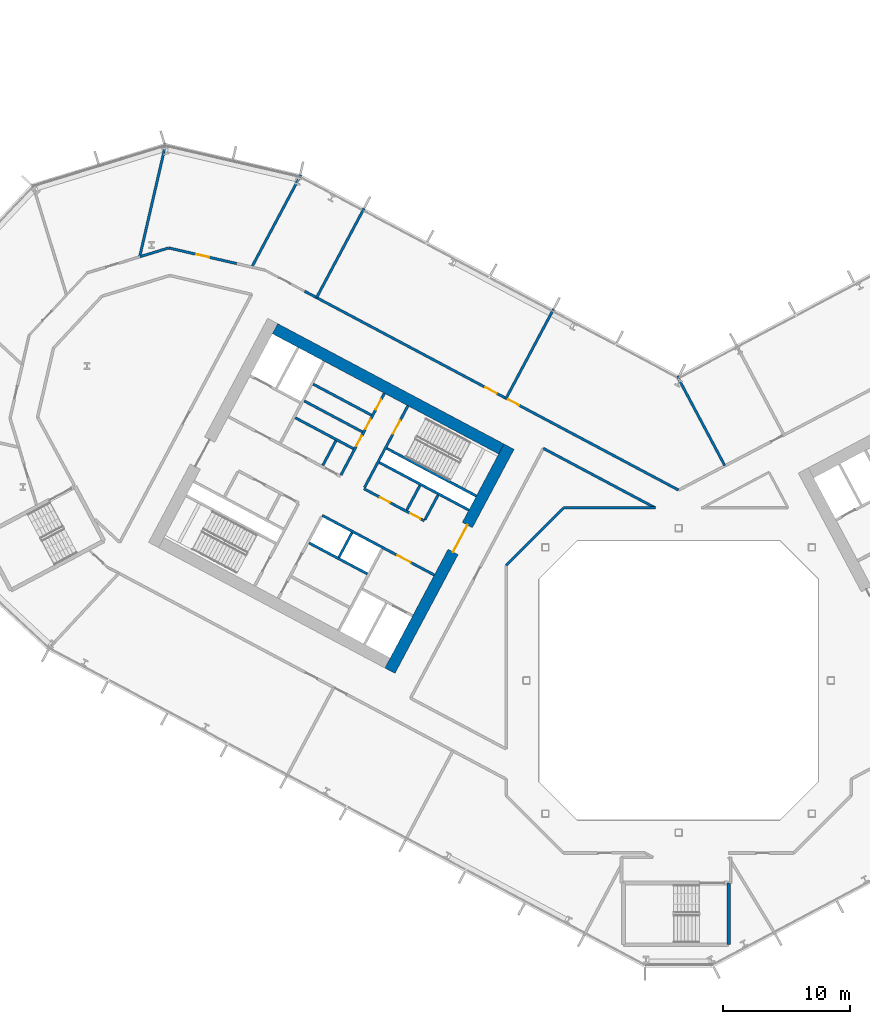
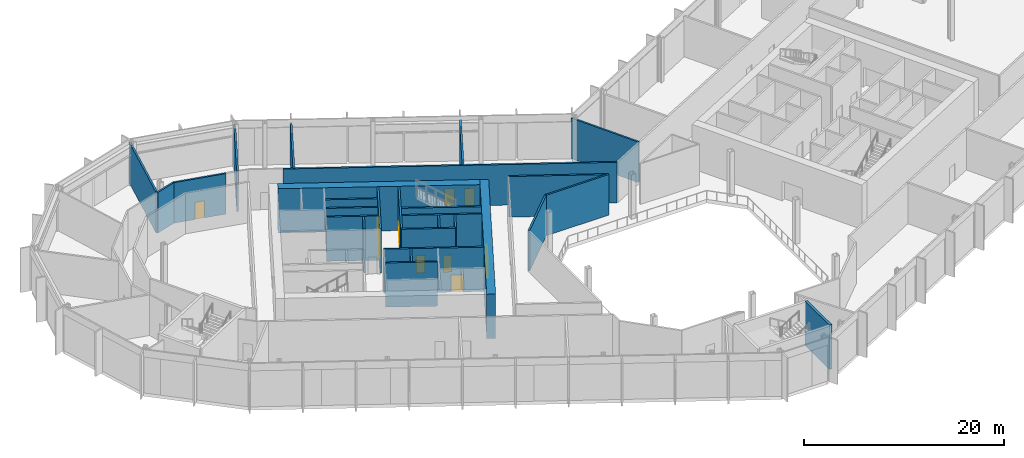
# One storey, part 14 of 32: 28 walls, 11 doors, 11 openings.
"""IFC4 building model written with IfcOpenShell, lengths in metres."""

from ifc_helpers import new_model, si_unit, direction, frame, frame_2d, origin, place, context, subcontext, project, spatial, rectangle, extrude, material, layer, layer_set, type_object, element, fill, save


model = new_model("IFC4")

# Units and contexts
model_context = context("Model", 3, precision=1e-05, world=origin(), true_north=direction((0.0, 1.0)))
body_context = subcontext(model_context, "Body", "Model", "MODEL_VIEW")
ifc_project = project(units=[si_unit("LENGTHUNIT", "METRE"), si_unit("AREAUNIT", "SQUARE_METRE"), si_unit("VOLUMEUNIT", "CUBIC_METRE"), si_unit("PLANEANGLEUNIT", "RADIAN"), si_unit("MASSUNIT", "GRAM", prefix="KILO")], contexts=[model_context])

# Site, building, storey
site_placement = place(None, origin())
site = spatial("IfcSite", under=ifc_project, at=site_placement, CompositionType="ELEMENT")
building_placement = place(site_placement, origin())
building = spatial("IfcBuilding", under=site, at=building_placement, Name="Cormorant Relay Tower", CompositionType="ELEMENT")
storey_placement = place(building_placement, frame((0.0, 0.0, 17.60009765625)))
storey = spatial("IfcBuildingStorey", under=building, at=storey_placement, Name="L03", CompositionType="ELEMENT", Elevation=17.60009765625)

# Walls
ifc_material_1 = material(Name="Concrete 40 MPa", Category="concrete")
ifc_layer_1 = layer(ifc_material_1, 0.199951171875)
ifc_layer_set_1 = layer_set([ifc_layer_1], Name="Core internal wall 200")
wall_type_1 = type_object("IfcWallType", Name="Core internal wall 200", PredefinedType="SOLIDWALL", material=ifc_layer_set_1)
wall_1_placement = place(storey_placement, frame((-20.39013671875, 15.371826171875, 0.0), z_axis=(0.0, 0.0, 1.0), x_axis=(-0.4694473164, -0.882960484464, 0.0)))
element("IfcWall", 1, at=wall_1_placement, inside=storey, type_object=wall_type_1, Name="L03 core A shaft and room wall", PredefinedType="SOLIDWALL", context=body_context, shape_type="SweptSolid", body=[
    extrude(rectangle(XDim=2.199951171875, YDim=0.199951171875, at=frame_2d((1.10009765625, 0.0))), origin(), (0.0, 0.0, 1.0), 5.39990234375),
])
wall_2_placement = place(storey_placement, frame((-25.744140625, 11.64990234375, 0.0), z_axis=(0.0, 0.0, 1.0), x_axis=(-0.469487830541, -0.882938942948, 0.0)))
element("IfcWall", 2, at=wall_2_placement, inside=storey, type_object=wall_type_1, Name="L03 core A shaft and room wall", PredefinedType="SOLIDWALL", context=body_context, shape_type="SweptSolid", body=[
    extrude(rectangle(XDim=2.2001953125, YDim=0.199951171875, at=frame_2d((1.10009765625, 0.0))), origin(), (0.0, 0.0, 1.0), 5.39990234375),
])
wall_3_placement = place(storey_placement, frame((-27.01220703125, 18.892822265625, 0.0), z_axis=(0.0, 0.0, 1.0), x_axis=(-0.4694473164, -0.882960484464, 0.0)))
element("IfcWall", 3, at=wall_3_placement, inside=storey, type_object=wall_type_1, Name="L03 core A shaft and room wall", PredefinedType="SOLIDWALL", context=body_context, shape_type="SweptSolid", body=[
    extrude(rectangle(XDim=2.199951171875, YDim=0.199951171875, at=frame_2d((1.10009765625, 0.0))), origin(), (0.0, 0.0, 1.0), 5.39990234375),
])
wall_4_placement = place(storey_placement, frame((-24.214599609375, 20.91650390625, 0.0), z_axis=(0.0, 0.0, 1.0), x_axis=(-0.882964314875, 0.469440111896, 0.0)))
element("IfcWall", 4, at=wall_4_placement, inside=storey, type_object=wall_type_1, Name="L03 core A shaft and room wall", PredefinedType="SOLIDWALL", context=body_context, shape_type="SweptSolid", body=[
    extrude(rectangle(XDim=5.2001953125, YDim=0.199951171875, at=frame_2d((2.60009765625, 0.0))), origin(), (0.0, 0.0, 1.0), 5.39990234375),
])
wall_5_placement = place(storey_placement, frame((-24.9189453125, 19.592041015625, 0.0), z_axis=(0.0, 0.0, 1.0), x_axis=(-0.882953967957, 0.469459572775, 0.0)))
element("IfcWall", 5, at=wall_5_placement, inside=storey, type_object=wall_type_1, Name="L03 core A shaft and room wall", PredefinedType="SOLIDWALL", context=body_context, shape_type="SweptSolid", body=[
    extrude(rectangle(XDim=5.199951171875, YDim=0.199951171875, at=frame_2d((2.60009765625, 0.0))), origin(), (0.0, 0.0, 1.0), 5.39990234375),
])
ifc_material_2 = material(Name="Concrete 50 MPa", Category="concrete")
ifc_layer_2 = layer(ifc_material_2, 0.199951171875)
ifc_layer_set_2 = layer_set([ifc_layer_2], Name="Core shaft wall 200")
wall_type_2 = type_object("IfcWallType", Name="Core shaft wall 200", PredefinedType="SHEAR", material=ifc_layer_set_2)
wall_6_placement = place(storey_placement, frame((-18.959716796875, 14.611328125, 0.0), z_axis=(0.0, 0.0, 1.0), x_axis=(-0.4694473164, -0.882960484464, 0.0)))
element("IfcWall", 6, at=wall_6_placement, inside=storey, type_object=wall_type_2, Name="L03 core A shaft wall", PredefinedType="SHEAR", context=body_context, shape_type="SweptSolid", body=[
    extrude(rectangle(XDim=2.199951171875, YDim=0.199951171875, at=frame_2d((1.10009765625, 0.0))), origin(), (0.0, 0.0, 1.0), 5.39990234375),
])

# Wall, opening, door
wall_7_placement = place(storey_placement, frame((-21.333251953125, 21.6494140625, 0.0), z_axis=(0.0, 0.0, 1.0), x_axis=(-0.469494272526, -0.882935517501, 0.0)))
wall_7 = element("IfcWall", 7, at=wall_7_placement, inside=storey, type_object=wall_type_2, Name="L03 core A shaft wall", PredefinedType="SHEAR", context=body_context, shape_type="SweptSolid", body=[
    extrude(rectangle(XDim=7.2998046875, YDim=0.199951171875, at=frame_2d((3.64990234375, 0.0))), origin(), (0.0, 0.0, 1.0), 5.39990234375),
])
opening_1_placement = place(wall_7_placement, frame((1.300048828125, 0.0, 0.0)))
opening_1 = element("IfcOpeningElement", 8, at=opening_1_placement, cuts=wall_7, Name="Opening CDB-019", PredefinedType="OPENING", context=body_context, shape_type="SweptSolid", body=[
    extrude(rectangle(XDim=1.199951171875, YDim=2.10009765625, at=frame_2d((0.60009765625, 1.050048828125))), frame((0.0, 0.10986328125, 0.0), z_axis=(0.0, -1.0, 0.0), x_axis=(1.0, 0.0, 0.0)), (0.0, 0.0, 1.0), 0.219970703125),
])
ifc_material_3 = material(Name="Steel fire door", Category="steel")
door_type_1 = type_object("IfcDoorType", Name="Core stair door 1200x2100", OperationType="SINGLE_SWING_LEFT", PredefinedType="DOOR", material=ifc_material_3)
door_1_placement = place(opening_1_placement, origin())
door_1 = element("IfcDoor", 9, at=door_1_placement, inside=storey, type_object=door_type_1, Name="Core stair door 1200x2100", OperationType="SINGLE_SWING_RIGHT", OverallHeight=2.10009765625, OverallWidth=1.199951171875, PredefinedType="DOOR", context=body_context, shape_type="SweptSolid", body=[
    extrude(rectangle(XDim=1.199951171875, YDim=2.10009765625, at=frame_2d((0.60009765625, 1.050048828125))), frame((0.0, 0.02490234375, 0.0), z_axis=(0.0, -1.0, 0.0), x_axis=(1.0, 0.0, 0.0)), (0.0, 0.0, 1.0), 0.050048828125),
])
fill(opening_1, door_1)

# Wall, openings, doors
wall_8_placement = place(storey_placement, frame((-23.1875, 22.635498046875, 0.0), z_axis=(0.0, 0.0, 1.0), x_axis=(-0.469454336211, -0.882956752176, 0.0)))
wall_8 = element("IfcWall", 10, at=wall_8_placement, inside=storey, type_object=wall_type_2, Name="L03 core A shaft wall", PredefinedType="SHEAR", context=body_context, shape_type="SweptSolid", body=[
    extrude(rectangle(XDim=7.300048828125, YDim=0.199951171875, at=frame_2d((3.64990234375, 0.0))), origin(), (0.0, 0.0, 1.0), 5.39990234375),
])
opening_2_placement = place(wall_8_placement, frame((0.550048828125, 0.0, 0.0)))
opening_2 = element("IfcOpeningElement", 11, at=opening_2_placement, cuts=wall_8, Name="Opening CDD-071", PredefinedType="OPENING", context=body_context, shape_type="SweptSolid", body=[
    extrude(rectangle(XDim=0.89990234375, YDim=2.10009765625, at=frame_2d((0.449951171875, 1.050048828125))), frame((0.0, 0.10986328125, 0.0), z_axis=(0.0, -1.0, 0.0), x_axis=(1.0, 0.0, 0.0)), (0.0, 0.0, 1.0), 0.219970703125),
])
opening_3_placement = place(wall_8_placement, frame((2.300048828125, 0.0, 0.0)))
opening_3 = element("IfcOpeningElement", 12, at=opening_3_placement, cuts=wall_8, Name="Opening CDD-072", PredefinedType="OPENING", context=body_context, shape_type="SweptSolid", body=[
    extrude(rectangle(XDim=0.89990234375, YDim=2.10009765625, at=frame_2d((0.449951171875, 1.050048828125))), frame((0.0, 0.10986328125, 0.0), z_axis=(0.0, -1.0, 0.0), x_axis=(1.0, 0.0, 0.0)), (0.0, 0.0, 1.0), 0.219970703125),
])
opening_4_placement = place(wall_8_placement, frame((3.800048828125, 0.0, 0.0)))
opening_4 = element("IfcOpeningElement", 13, at=opening_4_placement, cuts=wall_8, Name="Opening CDD-073", PredefinedType="OPENING", context=body_context, shape_type="SweptSolid", body=[
    extrude(rectangle(XDim=0.89990234375, YDim=2.10009765625, at=frame_2d((0.449951171875, 1.050048828125))), frame((0.0, 0.10986328125, 0.0), z_axis=(0.0, -1.0, 0.0), x_axis=(1.0, 0.0, 0.0)), (0.0, 0.0, 1.0), 0.219970703125),
])
ifc_material_4 = material(Name="Steel fire door", Category="steel")
door_type_2 = type_object("IfcDoorType", Name="Core room door 900x2100", OperationType="SINGLE_SWING_LEFT", PredefinedType="DOOR", material=ifc_material_4)
door_2_placement = place(opening_2_placement, origin())
door_2 = element("IfcDoor", 14, at=door_2_placement, inside=storey, type_object=door_type_2, Name="Core room door 900x2100", OperationType="SINGLE_SWING_LEFT", OverallHeight=2.10009765625, OverallWidth=0.89990234375, PredefinedType="DOOR", context=body_context, shape_type="SweptSolid", body=[
    extrude(rectangle(XDim=0.89990234375, YDim=2.10009765625, at=frame_2d((0.449951171875, 1.050048828125))), frame((0.0, 0.02490234375, 0.0), z_axis=(0.0, -1.0, 0.0), x_axis=(1.0, 0.0, 0.0)), (0.0, 0.0, 1.0), 0.050048828125),
])
fill(opening_2, door_2)
door_3_placement = place(opening_3_placement, origin())
door_3 = element("IfcDoor", 15, at=door_3_placement, inside=storey, type_object=door_type_2, Name="Core room door 900x2100", OperationType="SINGLE_SWING_LEFT", OverallHeight=2.10009765625, OverallWidth=0.89990234375, PredefinedType="DOOR", context=body_context, shape_type="SweptSolid", body=[
    extrude(rectangle(XDim=0.89990234375, YDim=2.10009765625, at=frame_2d((0.449951171875, 1.050048828125))), frame((0.0, 0.02490234375, 0.0), z_axis=(0.0, -1.0, 0.0), x_axis=(1.0, 0.0, 0.0)), (0.0, 0.0, 1.0), 0.050048828125),
])
fill(opening_3, door_3)
door_4_placement = place(opening_4_placement, frame((0.89990234375, 0.0, 0.0), z_axis=(0.0, 0.0, 1.0), x_axis=(-1.0, 0.0, 0.0)))
door_4 = element("IfcDoor", 16, at=door_4_placement, inside=storey, type_object=door_type_2, Name="Core room door 900x2100", OperationType="SINGLE_SWING_RIGHT", OverallHeight=2.10009765625, OverallWidth=0.89990234375, PredefinedType="DOOR", context=body_context, shape_type="SweptSolid", body=[
    extrude(rectangle(XDim=0.89990234375, YDim=2.10009765625, at=frame_2d((0.449951171875, 1.050048828125))), frame((0.0, 0.02490234375, 0.0), z_axis=(0.0, -1.0, 0.0), x_axis=(1.0, 0.0, 0.0)), (0.0, 0.0, 1.0), 0.050048828125),
])
fill(opening_4, door_4)

# Walls
wall_9_placement = place(storey_placement, frame((-15.94189453125, 14.53564453125, 0.0), z_axis=(0.0, 0.0, 1.0), x_axis=(-0.882946947542, 0.469472776449, 0.0)))
element("IfcWall", 17, at=wall_9_placement, inside=storey, type_object=wall_type_2, Name="L03 core A shaft wall", PredefinedType="SHEAR", context=body_context, shape_type="SweptSolid", body=[
    extrude(rectangle(XDim=8.000244140625, YDim=0.199951171875, at=frame_2d((4.0, 0.0))), origin(), (0.0, 0.0, 1.0), 5.39990234375),
])
wall_10_placement = place(storey_placement, frame((-16.52880859375, 13.43212890625, 0.0), z_axis=(0.0, 0.0, 1.0), x_axis=(-0.88295287151, 0.469461634952, 0.0)))
element("IfcWall", 18, at=wall_10_placement, inside=storey, type_object=wall_type_2, Name="L03 core A shaft wall", PredefinedType="SHEAR", context=body_context, shape_type="SweptSolid", body=[
    extrude(rectangle(XDim=7.999755859375, YDim=0.199951171875, at=frame_2d((4.0, 0.0))), origin(), (0.0, 0.0, 1.0), 5.39990234375),
])
wall_11_placement = place(storey_placement, frame((-25.623046875, 18.267578125, 0.0), z_axis=(0.0, 0.0, 1.0), x_axis=(-0.882953967957, 0.469459572775, 0.0)))
element("IfcWall", 19, at=wall_11_placement, inside=storey, type_object=wall_type_2, Name="L03 core A shaft wall", PredefinedType="SHEAR", context=body_context, shape_type="SweptSolid", body=[
    extrude(rectangle(XDim=5.199951171875, YDim=0.199951171875, at=frame_2d((2.60009765625, 0.0))), origin(), (0.0, 0.0, 1.0), 5.39990234375),
])

# Wall, openings, doors
wall_12_placement = place(storey_placement, frame((-20.03955078125, 12.58056640625, 0.0), z_axis=(0.0, 0.0, 1.0), x_axis=(-0.882942972946, 0.469480251476, 0.0)))
wall_12 = element("IfcWall", 20, at=wall_12_placement, inside=storey, type_object=wall_type_2, Name="L03 core A shaft wall", PredefinedType="SHEAR", context=body_context, shape_type="SweptSolid", body=[
    extrude(rectangle(XDim=5.39990234375, YDim=0.199951171875, at=frame_2d((2.699951171875, 0.0))), origin(), (0.0, 0.0, 1.0), 5.39990234375),
])
opening_5_placement = place(wall_12_placement, frame((0.360107421875, 0.0, 0.0)))
opening_5 = element("IfcOpeningElement", 21, at=opening_5_placement, cuts=wall_12, Name="Opening CDD-065", PredefinedType="OPENING", context=body_context, shape_type="SweptSolid", body=[
    extrude(rectangle(XDim=0.89990234375, YDim=2.10009765625, at=frame_2d((0.449951171875, 1.050048828125))), frame((0.0, 0.10986328125, 0.0), z_axis=(0.0, -1.0, 0.0), x_axis=(1.0, 0.0, 0.0)), (0.0, 0.0, 1.0), 0.219970703125),
])
opening_6_placement = place(wall_12_placement, frame((3.06005859375, 0.0, 0.0)))
opening_6 = element("IfcOpeningElement", 22, at=opening_6_placement, cuts=wall_12, Name="Opening CDD-066", PredefinedType="OPENING", context=body_context, shape_type="SweptSolid", body=[
    extrude(rectangle(XDim=0.89990234375, YDim=2.10009765625, at=frame_2d((0.449951171875, 1.050048828125))), frame((0.0, 0.10986328125, 0.0), z_axis=(0.0, -1.0, 0.0), x_axis=(1.0, 0.0, 0.0)), (0.0, 0.0, 1.0), 0.219970703125),
])
door_5_placement = place(opening_5_placement, frame((0.89990234375, 0.0, 0.0), z_axis=(0.0, 0.0, 1.0), x_axis=(-1.0, 0.0, 0.0)))
door_5 = element("IfcDoor", 23, at=door_5_placement, inside=storey, type_object=door_type_2, Name="Core room door 900x2100", OperationType="SINGLE_SWING_RIGHT", OverallHeight=2.10009765625, OverallWidth=0.89990234375, PredefinedType="DOOR", context=body_context, shape_type="SweptSolid", body=[
    extrude(rectangle(XDim=0.89990234375, YDim=2.10009765625, at=frame_2d((0.449951171875, 1.050048828125))), frame((0.0, 0.02490234375, 0.0), z_axis=(0.0, -1.0, 0.0), x_axis=(1.0, 0.0, 0.0)), (0.0, 0.0, 1.0), 0.050048828125),
])
fill(opening_5, door_5)
door_6_placement = place(opening_6_placement, frame((0.89990234375, 0.0, 0.0), z_axis=(0.0, 0.0, 1.0), x_axis=(-1.0, 0.0, 0.0)))
door_6 = element("IfcDoor", 24, at=door_6_placement, inside=storey, type_object=door_type_2, Name="Core room door 900x2100", OperationType="SINGLE_SWING_RIGHT", OverallHeight=2.10009765625, OverallWidth=0.89990234375, PredefinedType="DOOR", context=body_context, shape_type="SweptSolid", body=[
    extrude(rectangle(XDim=0.89990234375, YDim=2.10009765625, at=frame_2d((0.449951171875, 1.050048828125))), frame((0.0, 0.02490234375, 0.0), z_axis=(0.0, -1.0, 0.0), x_axis=(1.0, 0.0, 0.0)), (0.0, 0.0, 1.0), 0.050048828125),
])
fill(opening_6, door_6)

# Wall, opening, door
wall_13_placement = place(storey_placement, frame((-19.251708984375, 8.31103515625, 0.0), z_axis=(0.0, 0.0, 1.0), x_axis=(-0.882955722218, 0.469456273365, 0.0)))
wall_13 = element("IfcWall", 25, at=wall_13_placement, inside=storey, type_object=wall_type_2, Name="L03 core A shaft wall", PredefinedType="SHEAR", context=body_context, shape_type="SweptSolid", body=[
    extrude(rectangle(XDim=10.0, YDim=0.199951171875, at=frame_2d((5.0, 0.0))), origin(), (0.0, 0.0, 1.0), 5.39990234375),
])
opening_7_placement = place(wall_13_placement, frame((2.10009765625, 0.0, 0.0)))
opening_7 = element("IfcOpeningElement", 26, at=opening_7_placement, cuts=wall_13, Name="Opening CDC-013", PredefinedType="OPENING", context=body_context, shape_type="SweptSolid", body=[
    extrude(rectangle(XDim=1.199951171875, YDim=2.10009765625, at=frame_2d((0.60009765625, 1.050048828125))), frame((0.0, 0.10986328125, 0.0), z_axis=(0.0, -1.0, 0.0), x_axis=(1.0, 0.0, 0.0)), (0.0, 0.0, 1.0), 0.219970703125),
])
ifc_material_5 = material(Name="Steel fire door", Category="steel")
door_type_3 = type_object("IfcDoorType", Name="Core lobby door 1200x2100", OperationType="SINGLE_SWING_LEFT", PredefinedType="DOOR", material=ifc_material_5)
door_7_placement = place(opening_7_placement, origin())
door_7 = element("IfcDoor", 27, at=door_7_placement, inside=storey, type_object=door_type_3, Name="Core lobby door 1200x2100", OperationType="SINGLE_SWING_RIGHT", OverallHeight=2.10009765625, OverallWidth=1.199951171875, PredefinedType="DOOR", context=body_context, shape_type="SweptSolid", body=[
    extrude(rectangle(XDim=1.199951171875, YDim=2.10009765625, at=frame_2d((0.60009765625, 1.050048828125))), frame((0.0, 0.02490234375, 0.0), z_axis=(0.0, -1.0, 0.0), x_axis=(1.0, 0.0, 0.0)), (0.0, 0.0, 1.0), 0.050048828125),
])
fill(opening_7, door_7)

# Wall
wall_14_placement = place(storey_placement, frame((-24.5283203125, 8.3984375, 0.0), z_axis=(0.0, 0.0, 1.0), x_axis=(-0.882953967957, 0.469459572775, 0.0)))
element("IfcWall", 28, at=wall_14_placement, inside=storey, type_object=wall_type_2, Name="L03 core A shaft wall", PredefinedType="SHEAR", context=body_context, shape_type="SweptSolid", body=[
    extrude(rectangle(XDim=5.199951171875, YDim=0.199951171875, at=frame_2d((2.60009765625, 0.0))), origin(), (0.0, 0.0, 1.0), 5.39990234375),
])

# Wall, opening, door
ifc_material_6 = material(Name="Concrete 70 MPa", Category="concrete")
ifc_layer_3 = layer(ifc_material_6, 0.89990234375)
ifc_layer_set_3 = layer_set([ifc_layer_3], Name="Core wall 900")
wall_type_3 = type_object("IfcWallType", Name="Core wall 900", PredefinedType="SHEAR", material=ifc_layer_set_3)
wall_15_placement = place(storey_placement, frame((-13.361572265625, 18.43017578125, 0.0), z_axis=(0.0, 0.0, 1.0), x_axis=(-0.46947084998, -0.882947971864, 0.0)))
wall_15 = element("IfcWall", 29, at=wall_15_placement, inside=storey, type_object=wall_type_3, Name="L03 core A wall", PredefinedType="SHEAR", context=body_context, shape_type="SweptSolid", body=[
    extrude(rectangle(XDim=20.0, YDim=0.89990234375, at=frame_2d((10.0, 0.0))), origin(), (0.0, 0.0, 1.0), 5.39990234375),
])
opening_8_placement = place(wall_15_placement, frame((7.0, 0.0, 0.0)))
opening_8 = element("IfcOpeningElement", 30, at=opening_8_placement, cuts=wall_15, Name="Opening CDA-013", PredefinedType="OPENING", context=body_context, shape_type="SweptSolid", body=[
    extrude(rectangle(XDim=2.39990234375, YDim=2.39990234375, at=frame_2d((1.199951171875, 1.199951171875))), frame((0.0, 0.4599609375, 0.0), z_axis=(0.0, -1.0, 0.0), x_axis=(1.0, 0.0, 0.0)), (0.0, 0.0, 1.0), 0.919921875),
])
ifc_material_7 = material(Name="Steel fire door", Category="steel")
door_type_4 = type_object("IfcDoorType", Name="Core lobby door 2400x2400", OperationType="DOUBLE_DOOR_SINGLE_SWING", PredefinedType="DOOR", material=ifc_material_7)
door_8_placement = place(opening_8_placement, frame((2.39990234375, 0.0, 0.0), z_axis=(0.0, 0.0, 1.0), x_axis=(-1.0, 0.0, 0.0)))
door_8 = element("IfcDoor", 31, at=door_8_placement, inside=storey, type_object=door_type_4, Name="Core lobby door 2400x2400", OperationType="DOUBLE_DOOR_SINGLE_SWING", OverallHeight=2.39990234375, OverallWidth=2.39990234375, PredefinedType="DOOR", context=body_context, shape_type="SweptSolid", body=[
    extrude(rectangle(XDim=2.39990234375, YDim=2.39990234375, at=frame_2d((1.199951171875, 1.199951171875))), frame((0.0, 0.02490234375, 0.0), z_axis=(0.0, -1.0, 0.0), x_axis=(1.0, 0.0, 0.0)), (0.0, 0.0, 1.0), 0.050048828125),
])
fill(opening_8, door_8)

# Walls
wall_16_placement = place(storey_placement, frame((-13.97021484375, 18.244140625, 0.0), z_axis=(0.0, 0.0, 1.0), x_axis=(-0.88294509198, 0.469476266226, 0.0)))
element("IfcWall", 32, at=wall_16_placement, inside=storey, type_object=wall_type_3, Name="L03 core A wall", PredefinedType="SHEAR", context=body_context, shape_type="SweptSolid", body=[
    extrude(rectangle(XDim=20.199951171875, YDim=0.89990234375, at=frame_2d((10.10009765625, 0.0))), origin(), (0.0, 0.0, 1.0), 5.39990234375),
])
ifc_material_8 = material(Name="Fire-rated gypsum board partition")
ifc_layer_4 = layer(ifc_material_8, 0.199951171875)
ifc_layer_set_4 = layer_set([ifc_layer_4], Name="Fire-rated gypsum partition 200")
wall_type_4 = type_object("IfcWallType", Name="Fire-rated gypsum partition 200", PredefinedType="PARTITIONING", material=ifc_layer_set_4)
wall_17_placement = place(storey_placement, frame((-40.4189453125, 42.31494140625, 0.0), z_axis=(0.0, 0.0, 1.0), x_axis=(-0.225003617867, -0.974357928046, 0.0)))
element("IfcWall", 33, at=wall_17_placement, inside=storey, type_object=wall_type_4, Name="wall/L03/part/25", PredefinedType="PARTITIONING", context=body_context, shape_type="SweptSolid", body=[
    extrude(rectangle(XDim=9.15576171875, YDim=0.199951171875, at=frame_2d((4.577880859375, 0.0))), origin(), (0.0, 0.0, 1.0), 4.949951171875),
])
wall_18_placement = place(storey_placement, frame((-40.18505859375, 34.094970703125, 0.0), z_axis=(0.0, 0.0, 1.0), x_axis=(-0.956334756987, -0.292273557781, 0.0)))
element("IfcWall", 34, at=wall_18_placement, inside=storey, type_object=wall_type_4, Name="wall/L03/part/26", PredefinedType="PARTITIONING", context=body_context, shape_type="SweptSolid", body=[
    extrude(rectangle(XDim=2.3671875, YDim=0.199951171875, at=frame_2d((1.18359375, 0.0))), origin(), (0.0, 0.0, 1.0), 4.949951171875),
])

# Wall, opening, door
wall_19_placement = place(storey_placement, frame((-40.18603515625, 34.094970703125, 0.0), z_axis=(0.0, 0.0, 1.0), x_axis=(0.974351478487, -0.225031545278, 0.0)))
wall_19 = element("IfcWall", 35, at=wall_19_placement, inside=storey, type_object=wall_type_4, Name="wall/L03/part/27", PredefinedType="PARTITIONING", context=body_context, shape_type="SweptSolid", body=[
    extrude(rectangle(XDim=5.492919921875, YDim=0.199951171875, at=frame_2d((2.74658203125, 0.0))), origin(), (0.0, 0.0, 1.0), 4.949951171875),
])
opening_9_placement = place(wall_19_placement, frame((2.25, 0.0, 0.0)))
opening_9 = element("IfcOpeningElement", 36, at=opening_9_placement, cuts=wall_19, Name="Opening FD1-015", PredefinedType="OPENING", context=body_context, shape_type="SweptSolid", body=[
    extrude(rectangle(XDim=1.0, YDim=2.10009765625, at=frame_2d((0.5, 1.050048828125))), frame((0.0, 0.10986328125, 0.0), z_axis=(0.0, -1.0, 0.0), x_axis=(1.0, 0.0, 0.0)), (0.0, 0.0, 1.0), 0.219970703125),
])
ifc_material_9 = material(Name="Fire-rated steel door", Category="steel")
door_type_5 = type_object("IfcDoorType", Name="Fire door 1000 x 2100", OperationType="SINGLE_SWING_LEFT", PredefinedType="DOOR", material=ifc_material_9)
door_9_placement = place(opening_9_placement, origin())
door_9 = element("IfcDoor", 37, at=door_9_placement, inside=storey, type_object=door_type_5, Name="door/L03/15", OperationType="SINGLE_SWING_RIGHT", OverallHeight=2.10009765625, OverallWidth=1.0, PredefinedType="DOOR", context=body_context, shape_type="SweptSolid", body=[
    extrude(rectangle(XDim=1.0, YDim=2.10009765625, at=frame_2d((0.5, 1.050048828125))), frame((0.0, 0.02490234375, 0.0), z_axis=(0.0, -1.0, 0.0), x_axis=(1.0, 0.0, 0.0)), (0.0, 0.0, 1.0), 0.050048828125),
])
fill(opening_9, door_9)

# Wall
wall_20_placement = place(storey_placement, frame((-29.779052734375, 39.845947265625, 0.0), z_axis=(0.0, 0.0, 1.0), x_axis=(-0.469432289294, -0.882968473824, 0.0)))
element("IfcWall", 38, at=wall_20_placement, inside=storey, type_object=wall_type_4, Name="wall/L03/part/29", PredefinedType="PARTITIONING", context=body_context, shape_type="SweptSolid", body=[
    extrude(rectangle(XDim=8.224365234375, YDim=0.199951171875, at=frame_2d((4.1123046875, 0.0))), origin(), (0.0, 0.0, 1.0), 4.949951171875),
])

# Wall, openings, doors
wall_21_placement = place(storey_placement, frame((-29.47900390625, 30.680908203125, 0.0), z_axis=(0.0, 0.0, 1.0), x_axis=(0.882953009593, -0.469461375249, 0.0)))
wall_21 = element("IfcWall", 39, at=wall_21_placement, inside=storey, type_object=wall_type_4, Name="wall/L03/part/33", PredefinedType="PARTITIONING", context=body_context, shape_type="SweptSolid", body=[
    extrude(rectangle(XDim=33.38671875, YDim=0.199951171875, at=frame_2d((16.693359375, 0.0))), origin(), (0.0, 0.0, 1.0), 4.949951171875),
])
opening_10_placement = place(wall_21_placement, frame((18.14990234375, 0.0, 0.0)))
opening_10 = element("IfcOpeningElement", 40, at=opening_10_placement, cuts=wall_21, Name="Opening FD1-013", PredefinedType="OPENING", context=body_context, shape_type="SweptSolid", body=[
    extrude(rectangle(XDim=1.0, YDim=2.10009765625, at=frame_2d((0.5, 1.050048828125))), frame((0.0, 0.10986328125, 0.0), z_axis=(0.0, -1.0, 0.0), x_axis=(1.0, 0.0, 0.0)), (0.0, 0.0, 1.0), 0.219970703125),
])
opening_11_placement = place(wall_21_placement, frame((16.14990234375, 0.0, 0.0)))
opening_11 = element("IfcOpeningElement", 41, at=opening_11_placement, cuts=wall_21, Name="Opening FD1-014", PredefinedType="OPENING", context=body_context, shape_type="SweptSolid", body=[
    extrude(rectangle(XDim=1.0, YDim=2.10009765625, at=frame_2d((0.5, 1.050048828125))), frame((0.0, 0.10986328125, 0.0), z_axis=(0.0, -1.0, 0.0), x_axis=(1.0, 0.0, 0.0)), (0.0, 0.0, 1.0), 0.219970703125),
])
door_10_placement = place(opening_10_placement, origin())
door_10 = element("IfcDoor", 42, at=door_10_placement, inside=storey, type_object=door_type_5, Name="door/L03/12", OperationType="SINGLE_SWING_LEFT", OverallHeight=2.10009765625, OverallWidth=1.0, PredefinedType="DOOR", context=body_context, shape_type="SweptSolid", body=[
    extrude(rectangle(XDim=1.0, YDim=2.10009765625, at=frame_2d((0.5, 1.050048828125))), frame((0.0, 0.02490234375, 0.0), z_axis=(0.0, -1.0, 0.0), x_axis=(1.0, 0.0, 0.0)), (0.0, 0.0, 1.0), 0.050048828125),
])
fill(opening_10, door_10)
door_11_placement = place(opening_11_placement, origin())
door_11 = element("IfcDoor", 43, at=door_11_placement, inside=storey, type_object=door_type_5, Name="door/L03/13", OperationType="SINGLE_SWING_RIGHT", OverallHeight=2.10009765625, OverallWidth=1.0, PredefinedType="DOOR", context=body_context, shape_type="SweptSolid", body=[
    extrude(rectangle(XDim=1.0, YDim=2.10009765625, at=frame_2d((0.5, 1.050048828125))), frame((0.0, 0.02490234375, 0.0), z_axis=(0.0, -1.0, 0.0), x_axis=(1.0, 0.0, 0.0)), (0.0, 0.0, 1.0), 0.050048828125),
])
fill(opening_11, door_11)

# Walls
wall_22_placement = place(storey_placement, frame((-24.800048828125, 37.197021484375, 0.0), z_axis=(0.0, 0.0, 1.0), x_axis=(-0.469551855795, -0.882904895625, 0.0)))
element("IfcWall", 44, at=wall_22_placement, inside=storey, type_object=wall_type_4, Name="wall/L03/part/35", PredefinedType="PARTITIONING", context=body_context, shape_type="SweptSolid", body=[
    extrude(rectangle(XDim=7.949951171875, YDim=0.199951171875, at=frame_2d((3.97509765625, 0.0))), origin(), (0.0, 0.0, 1.0), 4.949951171875),
])
wall_23_placement = place(storey_placement, frame((-9.864013671875, 29.2548828125, 0.0), z_axis=(0.0, 0.0, 1.0), x_axis=(-0.469468822461, -0.88294904991, 0.0)))
element("IfcWall", 45, at=wall_23_placement, inside=storey, type_object=wall_type_4, Name="wall/L03/part/36", PredefinedType="PARTITIONING", context=body_context, shape_type="SweptSolid", body=[
    extrude(rectangle(XDim=7.94921875, YDim=0.199951171875, at=frame_2d((3.974609375, 0.0))), origin(), (0.0, 0.0, 1.0), 4.949951171875),
])
wall_24_placement = place(storey_placement, frame((-0.10498046875, 23.98388671875, 0.0), z_axis=(0.0, 0.0, 1.0), x_axis=(0.469381988783, -0.882995214373, 0.0)))
element("IfcWall", 46, at=wall_24_placement, inside=storey, type_object=wall_type_4, Name="wall/L03/part/38", PredefinedType="PARTITIONING", context=body_context, shape_type="SweptSolid", body=[
    extrude(rectangle(XDim=7.976318359375, YDim=0.199951171875, at=frame_2d((3.98828125, 0.0))), origin(), (0.0, 0.0, 1.0), 4.949951171875),
])
wall_25_placement = place(storey_placement, frame((-10.657958984375, 18.294921875, 0.0), z_axis=(0.0, 0.0, 1.0), x_axis=(0.88295636352, -0.4694550672, 0.0)))
element("IfcWall", 47, at=wall_25_placement, inside=storey, type_object=wall_type_4, Name="wall/L03/part/76", PredefinedType="PARTITIONING", context=body_context, shape_type="SweptSolid", body=[
    extrude(rectangle(XDim=10.00048828125, YDim=0.199951171875, at=frame_2d((5.000244140625, 0.0))), origin(), (0.0, 0.0, 1.0), 4.949951171875),
])
wall_26_placement = place(storey_placement, frame((-1.827880859375, 13.60009765625, 0.0), z_axis=(0.0, 0.0, 1.0), x_axis=(-1.0, 0.0, 0.0)))
element("IfcWall", 48, at=wall_26_placement, inside=storey, type_object=wall_type_4, Name="wall/L03/part/77", PredefinedType="PARTITIONING", context=body_context, shape_type="SweptSolid", body=[
    extrude(rectangle(XDim=7.2490234375, YDim=0.199951171875, at=frame_2d((3.62451171875, 0.0))), origin(), (0.0, 0.0, 1.0), 4.949951171875),
])
wall_27_placement = place(storey_placement, frame((-9.076904296875, 13.60009765625, 0.0), z_axis=(0.0, 0.0, 1.0), x_axis=(-0.707106781187, -0.707106781187, 0.0)))
element("IfcWall", 49, at=wall_27_placement, inside=storey, type_object=wall_type_4, Name="wall/L03/part/78", PredefinedType="PARTITIONING", context=body_context, shape_type="SweptSolid", body=[
    extrude(rectangle(XDim=6.396728515625, YDim=0.199951171875, at=frame_2d((3.1982421875, 0.0))), origin(), (0.0, 0.0, 1.0), 4.949951171875),
])
ifc_material_10 = material(Name="Concrete 50 MPa", Category="concrete")
ifc_layer_5 = layer(ifc_material_10, 0.300048828125)
ifc_layer_set_5 = layer_set([ifc_layer_5], Name="Remote stair wall 300")
wall_type_5 = type_object("IfcWallType", Name="Remote stair wall 300", PredefinedType="SHEAR", material=ifc_layer_set_5)
wall_28_placement = place(storey_placement, frame((3.949951171875, -15.97509765625, 0.0), z_axis=(0.0, 0.0, 1.0), x_axis=(0.0, -1.0, 0.0)))
element("IfcWall", 50, at=wall_28_placement, inside=storey, type_object=wall_type_5, Name="L03 exit stair RK1 wall", PredefinedType="SHEAR", context=body_context, shape_type="SweptSolid", body=[
    extrude(rectangle(XDim=4.849853515625, YDim=0.300048828125, at=frame_2d((2.4248046875, 0.0))), origin(), (0.0, 0.0, 1.0), 5.39990234375),
])

save(model, "model.ifc")
